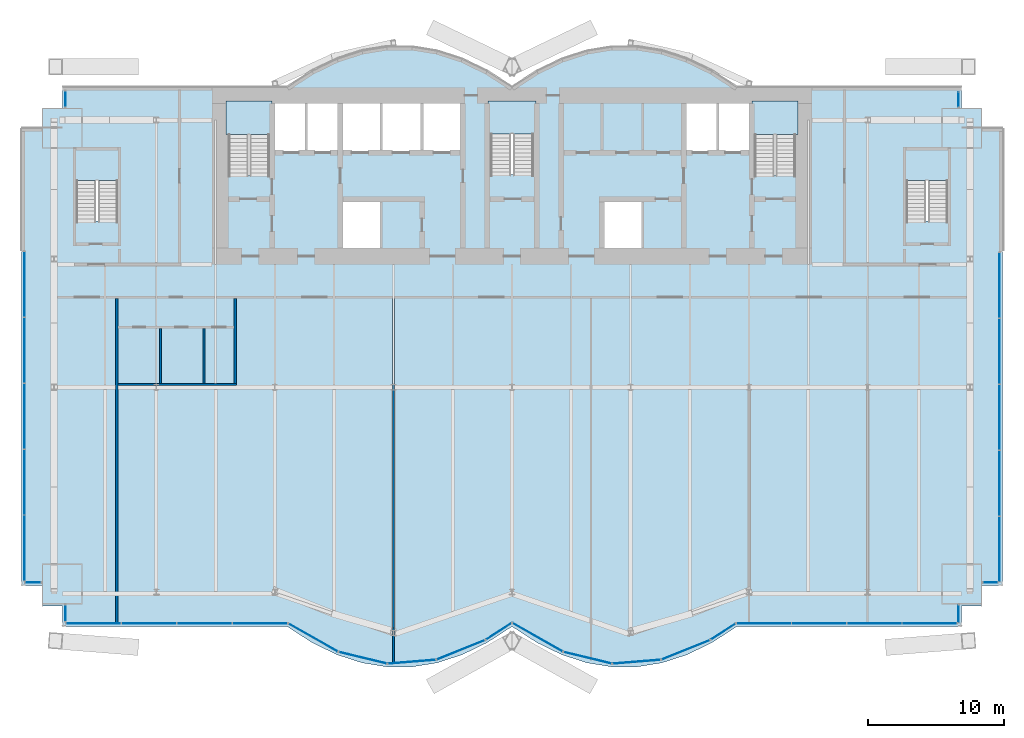
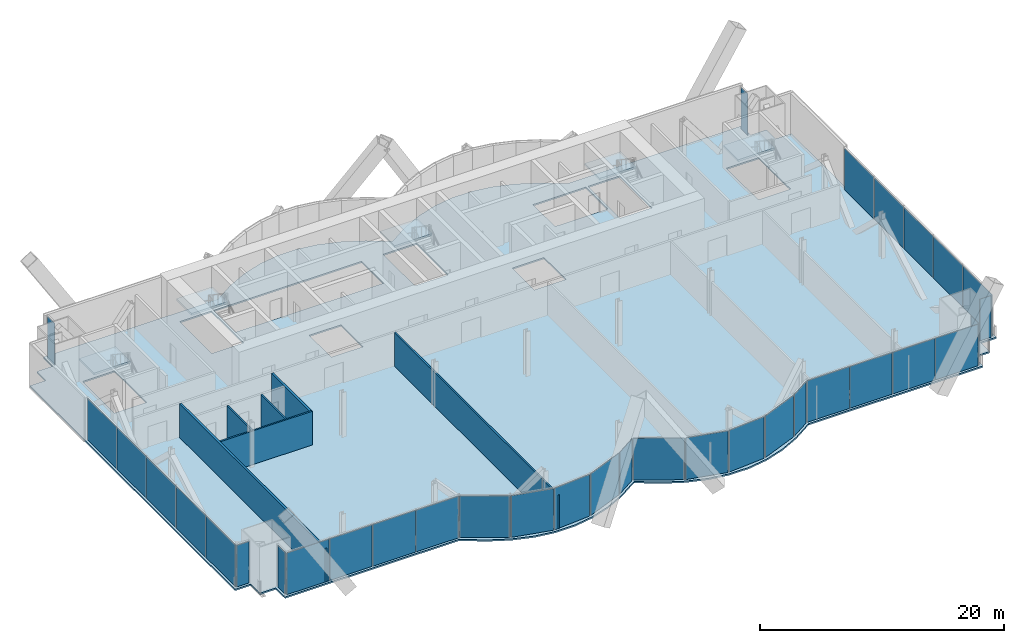
# One storey, part 14 of 21: 34 plates, 7 walls, 6 slabs, 17 elements without a shape of their own.
"""IFC4 building model written with IfcOpenShell, lengths in metres."""

from ifc_helpers import new_model, si_unit, direction, frame, frame_2d, origin, origin_2d, place, context, subcontext, project, spatial, polyline, rectangle, outline, extrude, material, layer, layer_set, type_object, element, aggregate, save


model = new_model("IFC4")

# Units and contexts
model_context = context("Model", 3, precision=1e-05, world=origin(), true_north=direction((0.0, 1.0)))
body_context = subcontext(model_context, "Body", "Model", "MODEL_VIEW")
ifc_project = project(units=[si_unit("LENGTHUNIT", "METRE"), si_unit("AREAUNIT", "SQUARE_METRE"), si_unit("VOLUMEUNIT", "CUBIC_METRE"), si_unit("PLANEANGLEUNIT", "RADIAN"), si_unit("MASSUNIT", "GRAM", prefix="KILO")], contexts=[model_context])

# Site, building, storey
site_placement = place(None, origin())
site = spatial("IfcSite", under=ifc_project, at=site_placement, CompositionType="ELEMENT")
building_placement = place(site_placement, origin())
building = spatial("IfcBuilding", under=site, at=building_placement, Name="Bicima Exchange Tower", CompositionType="ELEMENT")
storey_placement = place(building_placement, frame((0.0, 0.0, 80.0)))
storey = spatial("IfcBuildingStorey", under=building, at=storey_placement, Name="L16", CompositionType="ELEMENT", Elevation=80.0)

# Slab
ifc_material_1 = material(Name="Concrete C40/50", Category="concrete")
ifc_layer_1 = layer(ifc_material_1, 0.14990234375)
ifc_layer_set_1 = layer_set([ifc_layer_1], Name="Concrete C40/50")
slab_type_1 = type_object("IfcSlabType", Name="Composite floor slab 150", PredefinedType="FLOOR", material=ifc_layer_set_1)
slab_1_placement = place(storey_placement, frame((0.0, 0.0, -0.14990234375)))
element("IfcSlab", 1, at=slab_1_placement, inside=storey, type_object=slab_type_1, Name="Floor slab", PredefinedType="FLOOR", context=body_context, shape_type="SweptSolid", body=[
    extrude(outline(polyline([(-36.0, -36.56005859375), (-36.0, -3.0), (-34.5, -3.0), (-34.5, -1.5), (-33.0, -1.5), (-33.0, 0.0), (-16.5, 0.0), (-14.666748046875, 1.185302734375), (-12.833251953125, 2.07421875), (-11.0, 2.666748046875), (-9.166748046875, 2.962890625), (-7.333251953125, 2.962890625), (-5.5, 2.666748046875), (-3.666748046875, 2.07421875), (-1.833251953125, 1.185302734375), (0.0, 0.0), (1.833251953125, 1.185302734375), (3.666748046875, 2.07421875), (5.5, 2.666748046875), (7.333251953125, 2.962890625), (9.166748046875, 2.962890625), (11.0, 2.666748046875), (12.833251953125, 2.07421875), (14.666748046875, 1.185302734375), (16.5, 0.0), (33.0, 0.0), (33.0, -1.5), (34.5, -1.5), (34.5, -3.0), (36.0, -3.0), (36.0, -36.56005859375), (34.5, -36.56005859375), (34.5, -38.06005859375), (33.0, -38.06005859375), (33.0, -39.56005859375), (16.5, -39.56005859375), (14.666748046875, -40.7451171875), (12.833251953125, -41.634033203125), (11.0, -42.226806640625), (9.166748046875, -42.52294921875), (7.333251953125, -42.52294921875), (5.5, -42.226806640625), (3.666748046875, -41.634033203125), (1.833251953125, -40.7451171875), (0.0, -39.56005859375), (-1.833251953125, -40.7451171875), (-3.666748046875, -41.634033203125), (-5.5, -42.226806640625), (-7.333251953125, -42.52294921875), (-9.166748046875, -42.52294921875), (-11.0, -42.226806640625), (-12.833251953125, -41.634033203125), (-14.666748046875, -40.7451171875), (-16.5, -39.56005859375), (-33.0, -39.56005859375), (-33.0, -38.06005859375), (-34.5, -38.06005859375), (-34.5, -36.56005859375), (-36.0, -36.56005859375)]), holes=[polyline([(-9.60009765625, -11.800048828125), (-9.60009765625, -8.199951171875), (-12.60009765625, -8.199951171875), (-12.60009765625, -11.800048828125), (-9.60009765625, -11.800048828125)]), polyline([(-31.97509765625, -9.824951171875), (-28.925048828125, -9.824951171875), (-28.925048828125, -4.625), (-31.97509765625, -4.625), (-31.97509765625, -9.824951171875)]), polyline([(-20.800048828125, -6.449951171875), (-17.800048828125, -6.449951171875), (-17.800048828125, -1.199951171875), (-20.800048828125, -1.199951171875), (-20.800048828125, -6.449951171875)]), polyline([(-9.60009765625, -1.199951171875), (-12.60009765625, -1.199951171875), (-15.10009765625, -1.199951171875), (-17.60009765625, -1.199951171875), (-17.60009765625, -4.800048828125), (-15.10009765625, -4.800048828125), (-12.60009765625, -4.800048828125), (-9.60009765625, -4.800048828125), (-6.60009765625, -4.800048828125), (-3.60009765625, -4.800048828125), (-3.60009765625, -1.199951171875), (-6.60009765625, -1.199951171875), (-9.60009765625, -1.199951171875)]), polyline([(9.60009765625, -11.800048828125), (9.60009765625, -8.199951171875), (6.60009765625, -8.199951171875), (6.60009765625, -11.800048828125), (9.60009765625, -11.800048828125)]), polyline([(28.925048828125, -9.824951171875), (31.97509765625, -9.824951171875), (31.97509765625, -4.625), (28.925048828125, -4.625), (28.925048828125, -9.824951171875)]), polyline([(17.800048828125, -6.449951171875), (20.800048828125, -6.449951171875), (20.800048828125, -1.199951171875), (17.800048828125, -1.199951171875), (17.800048828125, -6.449951171875)]), polyline([(-1.574951171875, -6.39990234375), (1.574951171875, -6.39990234375), (1.574951171875, -1.199951171875), (-1.574951171875, -1.199951171875), (-1.574951171875, -6.39990234375)]), polyline([(17.60009765625, -4.800048828125), (17.60009765625, -1.199951171875), (15.10009765625, -1.199951171875), (12.60009765625, -1.199951171875), (12.60009765625, -4.800048828125), (15.10009765625, -4.800048828125), (17.60009765625, -4.800048828125)])]), origin(), (0.0, 0.0, 1.0), 0.14990234375),
])

# Curtain wall, plates
ifc_material_2 = material(Name="Anodised bronze aluminium", Category="aluminium")
curtain_wall_type_1 = type_object("IfcCurtainWallType", Name="End face glass wall", PredefinedType="NOTDEFINED", material=ifc_material_2)
curtain_wall_1_placement = place(storey_placement, origin())
curtain_wall_1 = element("IfcCurtainWall", 2, at=curtain_wall_1_placement, inside=storey, type_object=curtain_wall_type_1, Name="End face glass wall L16 run 2", PredefinedType="NOTDEFINED")
ifc_material_3 = material(Name="Bronze tinted glass", Category="glass")
ifc_layer_2 = layer(ifc_material_3, 0.031982421875)
ifc_layer_set_2 = layer_set([ifc_layer_2], Name="Bronze tinted glass")
plate_type_1 = type_object("IfcPlateType", Name="End face glass wall glass panel 32", PredefinedType="CURTAIN_PANEL", material=ifc_layer_set_2)
plate_1_placement = place(storey_placement, frame((-35.77001953125, -14.448974609375, 0.0), z_axis=(0.0, 0.0, 1.0), x_axis=(0.0, -1.0, 0.0)))
plate_1 = element("IfcPlate", 3, at=plate_1_placement, type_object=plate_type_1, Name="End face glass wall panel 1.1", PredefinedType="CURTAIN_PANEL", context=body_context, shape_type="SweptSolid", body=[
    extrude(rectangle(XDim=4.778076171875, YDim=0.031982421875, at=origin_2d()), origin(), (0.0, 0.0, 1.0), 4.159912109375),
])
plate_2_placement = place(storey_placement, frame((-35.77001953125, -19.287109375, 0.0), z_axis=(0.0, 0.0, 1.0), x_axis=(0.0, -1.0, 0.0)))
plate_2 = element("IfcPlate", 4, at=plate_2_placement, type_object=plate_type_1, Name="End face glass wall panel 2.1", PredefinedType="CURTAIN_PANEL", context=body_context, shape_type="SweptSolid", body=[
    extrude(rectangle(XDim=4.778076171875, YDim=0.031982421875, at=origin_2d()), origin(), (0.0, 0.0, 1.0), 4.159912109375),
])
plate_3_placement = place(storey_placement, frame((-35.77001953125, -24.125, 0.0), z_axis=(0.0, 0.0, 1.0), x_axis=(0.0, -1.0, 0.0)))
plate_3 = element("IfcPlate", 5, at=plate_3_placement, type_object=plate_type_1, Name="End face glass wall panel 3.1", PredefinedType="CURTAIN_PANEL", context=body_context, shape_type="SweptSolid", body=[
    extrude(rectangle(XDim=4.778076171875, YDim=0.031982421875, at=origin_2d()), origin(), (0.0, 0.0, 1.0), 4.159912109375),
])

curtain_wall_2_placement = place(storey_placement, origin())
curtain_wall_2 = element("IfcCurtainWall", 6, at=curtain_wall_2_placement, inside=storey, type_object=curtain_wall_type_1, Name="End face glass wall L16 run 19", PredefinedType="NOTDEFINED")
plate_4_placement = place(storey_placement, frame((35.77001953125, -24.205078125, 0.0), z_axis=(0.0, 0.0, 1.0), x_axis=(0.0, 1.0, 0.0)))
plate_4 = element("IfcPlate", 7, at=plate_4_placement, type_object=plate_type_1, Name="End face glass wall panel 3.1", PredefinedType="CURTAIN_PANEL", context=body_context, shape_type="SweptSolid", body=[
    extrude(rectangle(XDim=4.778076171875, YDim=0.031982421875, at=origin_2d()), origin(), (0.0, 0.0, 1.0), 4.159912109375),
])
plate_5_placement = place(storey_placement, frame((35.77001953125, -19.366943359375, 0.0), z_axis=(0.0, 0.0, 1.0), x_axis=(0.0, 1.0, 0.0)))
plate_5 = element("IfcPlate", 8, at=plate_5_placement, type_object=plate_type_1, Name="End face glass wall panel 4.1", PredefinedType="CURTAIN_PANEL", context=body_context, shape_type="SweptSolid", body=[
    extrude(rectangle(XDim=4.778076171875, YDim=0.031982421875, at=origin_2d()), origin(), (0.0, 0.0, 1.0), 4.159912109375),
])
plate_6_placement = place(storey_placement, frame((35.77001953125, -14.529052734375, 0.0), z_axis=(0.0, 0.0, 1.0), x_axis=(0.0, 1.0, 0.0)))
plate_6 = element("IfcPlate", 9, at=plate_6_placement, type_object=plate_type_1, Name="End face glass wall panel 5.1", PredefinedType="CURTAIN_PANEL", context=body_context, shape_type="SweptSolid", body=[
    extrude(rectangle(XDim=4.778076171875, YDim=0.031982421875, at=origin_2d()), origin(), (0.0, 0.0, 1.0), 4.159912109375),
])

# Plate
ifc_material_4 = material(Name="Bronze anodised aluminium", Category="aluminium")
ifc_layer_3 = layer(ifc_material_4, 0.031982421875)
ifc_layer_set_3 = layer_set([ifc_layer_3], Name="Bronze anodised aluminium")
plate_type_2 = type_object("IfcPlateType", Name="End face glass wall spandrel panel 32", PredefinedType="CURTAIN_PANEL", material=ifc_layer_set_3)
plate_7_placement = place(storey_placement, frame((-35.77001953125, -28.962890625, 0.0), z_axis=(0.0, 0.0, 1.0), x_axis=(0.0, -1.0, 0.0)))
plate_7 = element("IfcPlate", 10, at=plate_7_placement, type_object=plate_type_2, Name="End face spandrel wall panel 4.1", PredefinedType="CURTAIN_PANEL", context=body_context, shape_type="SweptSolid", body=[
    extrude(rectangle(XDim=4.778076171875, YDim=0.031982421875, at=origin_2d()), origin(), (0.0, 0.0, 1.0), 4.159912109375),
])

plate_8_placement = place(storey_placement, frame((-35.77001953125, -33.801025390625, 0.0), z_axis=(0.0, 0.0, 1.0), x_axis=(0.0, -1.0, 0.0)))
plate_8 = element("IfcPlate", 11, at=plate_8_placement, type_object=plate_type_2, Name="End face spandrel wall panel 5.1", PredefinedType="CURTAIN_PANEL", context=body_context, shape_type="SweptSolid", body=[
    extrude(rectangle(XDim=4.778076171875, YDim=0.031982421875, at=origin_2d()), origin(), (0.0, 0.0, 1.0), 4.159912109375),
])

aggregate(curtain_wall_1, [plate_1, plate_2, plate_3, plate_7, plate_8])

plate_9_placement = place(storey_placement, frame((35.77001953125, -33.881103515625, 0.0), z_axis=(0.0, 0.0, 1.0), x_axis=(0.0, 1.0, 0.0)))
plate_9 = element("IfcPlate", 12, at=plate_9_placement, type_object=plate_type_2, Name="End face spandrel wall panel 1.1", PredefinedType="CURTAIN_PANEL", context=body_context, shape_type="SweptSolid", body=[
    extrude(rectangle(XDim=4.778076171875, YDim=0.031982421875, at=origin_2d()), origin(), (0.0, 0.0, 1.0), 4.159912109375),
])

plate_10_placement = place(storey_placement, frame((35.77001953125, -29.04296875, 0.0), z_axis=(0.0, 0.0, 1.0), x_axis=(0.0, 1.0, 0.0)))
plate_10 = element("IfcPlate", 13, at=plate_10_placement, type_object=plate_type_2, Name="End face spandrel wall panel 2.1", PredefinedType="CURTAIN_PANEL", context=body_context, shape_type="SweptSolid", body=[
    extrude(rectangle(XDim=4.778076171875, YDim=0.031982421875, at=origin_2d()), origin(), (0.0, 0.0, 1.0), 4.159912109375),
])

aggregate(curtain_wall_2, [plate_9, plate_10, plate_4, plate_5, plate_6])

# Curtain wall, plate
curtain_wall_type_2 = type_object("IfcCurtainWallType", Name="Front glass wall", PredefinedType="NOTDEFINED", material=ifc_material_2)
curtain_wall_3_placement = place(storey_placement, origin())
curtain_wall_3 = element("IfcCurtainWall", 14, at=curtain_wall_3_placement, inside=storey, type_object=curtain_wall_type_2, Name="Front glass wall L16 run 1", PredefinedType="NOTDEFINED")
ifc_layer_4 = layer(ifc_material_3, 0.031982421875)
ifc_layer_set_4 = layer_set([ifc_layer_4], Name="Bronze tinted glass")
plate_type_3 = type_object("IfcPlateType", Name="Front glass wall glass panel 32", PredefinedType="CURTAIN_PANEL", material=ifc_layer_set_4)
plate_11_placement = place(storey_placement, frame((-32.77001953125, -0.864990234375, 0.0), z_axis=(0.0, 0.0, 1.0), x_axis=(0.0, -1.0, 0.0)))
plate_11 = element("IfcPlate", 15, at=plate_11_placement, type_object=plate_type_3, Name="Front glass wall panel 1.1", PredefinedType="CURTAIN_PANEL", context=body_context, shape_type="SweptSolid", body=[
    extrude(rectangle(XDim=1.14990234375, YDim=0.031982421875, at=origin_2d()), origin(), (0.0, 0.0, 1.0), 4.159912109375),
])
aggregate(curtain_wall_3, [plate_11])

curtain_wall_4_placement = place(storey_placement, origin())
curtain_wall_4 = element("IfcCurtainWall", 16, at=curtain_wall_4_placement, inside=storey, type_object=curtain_wall_type_2, Name="Front glass wall L16 run 3", PredefinedType="NOTDEFINED")
plate_12_placement = place(storey_placement, frame((-35.135009765625, -36.330078125, 0.0), z_axis=(0.0, 0.0, 1.0), x_axis=(1.0, 0.0, 0.0)))
plate_12 = element("IfcPlate", 17, at=plate_12_placement, type_object=plate_type_3, Name="Front glass wall panel 1.1", PredefinedType="CURTAIN_PANEL", context=body_context, shape_type="SweptSolid", body=[
    extrude(rectangle(XDim=1.14990234375, YDim=0.031982421875, at=origin_2d()), origin(), (0.0, 0.0, 1.0), 4.159912109375),
])
aggregate(curtain_wall_4, [plate_12])

curtain_wall_5_placement = place(storey_placement, origin())
curtain_wall_5 = element("IfcCurtainWall", 18, at=curtain_wall_5_placement, inside=storey, type_object=curtain_wall_type_2, Name="Front glass wall L16 run 4", PredefinedType="NOTDEFINED")
plate_13_placement = place(storey_placement, frame((-32.77001953125, -38.593994140625, 0.0), z_axis=(0.0, 0.0, 1.0), x_axis=(0.0, -1.0, 0.0)))
plate_13 = element("IfcPlate", 19, at=plate_13_placement, type_object=plate_type_3, Name="Front glass wall panel 1.1", PredefinedType="CURTAIN_PANEL", context=body_context, shape_type="SweptSolid", body=[
    extrude(rectangle(XDim=1.19189453125, YDim=0.031982421875, at=origin_2d()), origin(), (0.0, 0.0, 1.0), 4.159912109375),
])
aggregate(curtain_wall_5, [plate_13])

# Curtain wall, plates
curtain_wall_6_placement = place(storey_placement, origin())
curtain_wall_6 = element("IfcCurtainWall", 20, at=curtain_wall_6_placement, inside=storey, type_object=curtain_wall_type_2, Name="Front glass wall L16 run 5", PredefinedType="NOTDEFINED")
plate_14_placement = place(storey_placement, frame((-22.56640625, -39.330078125, 0.0), z_axis=(0.0, 0.0, 1.0), x_axis=(1.0, 0.0, 0.0)))
plate_14 = element("IfcPlate", 21, at=plate_14_placement, type_object=plate_type_3, Name="Front glass wall panel 3.1", PredefinedType="CURTAIN_PANEL", context=body_context, shape_type="SweptSolid", body=[
    extrude(rectangle(XDim=4.009521484375, YDim=0.031982421875, at=origin_2d()), origin(), (0.0, 0.0, 1.0), 4.159912109375),
])
plate_15_placement = place(storey_placement, frame((-18.496826171875, -39.330078125, 0.0), z_axis=(0.0, 0.0, 1.0), x_axis=(1.0, 0.0, 0.0)))
plate_15 = element("IfcPlate", 22, at=plate_15_placement, type_object=plate_type_3, Name="Front glass wall panel 4.1", PredefinedType="CURTAIN_PANEL", context=body_context, shape_type="SweptSolid", body=[
    extrude(rectangle(XDim=4.009521484375, YDim=0.031982421875, at=origin_2d()), origin(), (0.0, 0.0, 1.0), 4.159912109375),
])

curtain_wall_7_placement = place(storey_placement, origin())
curtain_wall_7 = element("IfcCurtainWall", 23, at=curtain_wall_7_placement, inside=storey, type_object=curtain_wall_type_2, Name="Front glass wall L16 run 6", PredefinedType="NOTDEFINED")
plate_16_placement = place(storey_placement, frame((-14.589599609375, -40.375, 0.0), z_axis=(0.0, 0.0, 1.0), x_axis=(0.869805110681, -0.493395449343, 0.0)))
plate_16 = element("IfcPlate", 24, at=plate_16_placement, type_object=plate_type_3, Name="Front glass wall panel 1.1", PredefinedType="CURTAIN_PANEL", context=body_context, shape_type="SweptSolid", body=[
    extrude(rectangle(XDim=4.1162109375, YDim=0.031982421875, at=origin_2d()), origin(), (0.0, 0.0, 1.0), 4.159912109375),
])
plate_17_placement = place(storey_placement, frame((-10.94775390625, -41.856689453125, 0.0), z_axis=(0.0, 0.0, 1.0), x_axis=(0.971830343553, -0.235681529503, 0.0)))
plate_17 = element("IfcPlate", 25, at=plate_17_placement, type_object=plate_type_3, Name="Front glass wall panel 1.1", PredefinedType="CURTAIN_PANEL", context=body_context, shape_type="SweptSolid", body=[
    extrude(rectangle(XDim=3.583251953125, YDim=0.031982421875, at=origin_2d()), origin(), (0.0, 0.0, 1.0), 4.159912109375),
])
plate_18_placement = place(storey_placement, frame((-0.97314453125, -39.915283203125, 0.0), z_axis=(0.0, 0.0, 1.0), x_axis=(0.839798994301, 0.542897457326, 0.0)))
plate_18 = element("IfcPlate", 26, at=plate_18_placement, type_object=plate_type_3, Name="Front glass wall panel 1.1", PredefinedType="CURTAIN_PANEL", context=body_context, shape_type="SweptSolid", body=[
    extrude(rectangle(XDim=2.197509765625, YDim=0.031982421875, at=origin_2d()), origin(), (0.0, 0.0, 1.0), 4.159912109375),
])

curtain_wall_8_placement = place(storey_placement, origin())
curtain_wall_8 = element("IfcCurtainWall", 27, at=curtain_wall_8_placement, inside=storey, type_object=curtain_wall_type_2, Name="Front glass wall L16 run 11", PredefinedType="NOTDEFINED")
plate_19_placement = place(storey_placement, frame((9.14892578125, -42.147705078125, 0.0), z_axis=(0.0, 0.0, 1.0), x_axis=(0.99674744821, 0.080588612633, 0.0)))
plate_19 = element("IfcPlate", 28, at=plate_19_placement, type_object=plate_type_3, Name="Front glass wall panel 1.1", PredefinedType="CURTAIN_PANEL", context=body_context, shape_type="SweptSolid", body=[
    extrude(rectangle(XDim=3.486083984375, YDim=0.031982421875, at=origin_2d()), origin(), (0.0, 0.0, 1.0), 4.159912109375),
])
plate_20_placement = place(storey_placement, frame((12.749755859375, -41.2734375, 0.0), z_axis=(0.0, 0.0, 1.0), x_axis=(0.92714396679, 0.374705304, 0.0)))
plate_20 = element("IfcPlate", 29, at=plate_20_placement, type_object=plate_type_3, Name="Front glass wall panel 1.1", PredefinedType="CURTAIN_PANEL", context=body_context, shape_type="SweptSolid", body=[
    extrude(rectangle(XDim=3.771240234375, YDim=0.031982421875, at=origin_2d()), origin(), (0.0, 0.0, 1.0), 4.159912109375),
])
plate_21_placement = place(storey_placement, frame((15.492919921875, -39.937255859375, 0.0), z_axis=(0.0, 0.0, 1.0), x_axis=(0.839791413941, 0.542909183079, 0.0)))
plate_21 = element("IfcPlate", 30, at=plate_21_placement, type_object=plate_type_3, Name="Front glass wall panel 1.1", PredefinedType="CURTAIN_PANEL", context=body_context, shape_type="SweptSolid", body=[
    extrude(rectangle(XDim=2.11669921875, YDim=0.031982421875, at=origin_2d()), origin(), (0.0, 0.0, 1.0), 4.159912109375),
])

curtain_wall_9_placement = place(storey_placement, origin())
curtain_wall_9 = element("IfcCurtainWall", 31, at=curtain_wall_9_placement, inside=storey, type_object=curtain_wall_type_2, Name="Front glass wall L16 run 16", PredefinedType="NOTDEFINED")
plate_22_placement = place(storey_placement, frame((18.48681640625, -39.330078125, 0.0), z_axis=(0.0, 0.0, 1.0), x_axis=(1.0, 0.0, 0.0)))
plate_22 = element("IfcPlate", 32, at=plate_22_placement, type_object=plate_type_3, Name="Front glass wall panel 1.1", PredefinedType="CURTAIN_PANEL", context=body_context, shape_type="SweptSolid", body=[
    extrude(rectangle(XDim=3.989501953125, YDim=0.031982421875, at=origin_2d()), origin(), (0.0, 0.0, 1.0), 4.159912109375),
])
plate_23_placement = place(storey_placement, frame((22.536376953125, -39.330078125, 0.0), z_axis=(0.0, 0.0, 1.0), x_axis=(1.0, 0.0, 0.0)))
plate_23 = element("IfcPlate", 33, at=plate_23_placement, type_object=plate_type_3, Name="Front glass wall panel 2.1", PredefinedType="CURTAIN_PANEL", context=body_context, shape_type="SweptSolid", body=[
    extrude(rectangle(XDim=3.989501953125, YDim=0.031982421875, at=origin_2d()), origin(), (0.0, 0.0, 1.0), 4.159912109375),
])

# Curtain wall, plate
curtain_wall_10_placement = place(storey_placement, origin())
curtain_wall_10 = element("IfcCurtainWall", 34, at=curtain_wall_10_placement, inside=storey, type_object=curtain_wall_type_2, Name="Front glass wall L16 run 17", PredefinedType="NOTDEFINED")
plate_24_placement = place(storey_placement, frame((32.77001953125, -38.634033203125, 0.0), z_axis=(0.0, 0.0, 1.0), x_axis=(0.0, 1.0, 0.0)))
plate_24 = element("IfcPlate", 35, at=plate_24_placement, type_object=plate_type_3, Name="Front glass wall panel 1.1", PredefinedType="CURTAIN_PANEL", context=body_context, shape_type="SweptSolid", body=[
    extrude(rectangle(XDim=1.27197265625, YDim=0.031982421875, at=origin_2d()), origin(), (0.0, 0.0, 1.0), 4.159912109375),
])
aggregate(curtain_wall_10, [plate_24])

curtain_wall_11_placement = place(storey_placement, origin())
curtain_wall_11 = element("IfcCurtainWall", 36, at=curtain_wall_11_placement, inside=storey, type_object=curtain_wall_type_2, Name="Front glass wall L16 run 18", PredefinedType="NOTDEFINED")
plate_25_placement = place(storey_placement, frame((35.094970703125, -36.330078125, 0.0), z_axis=(0.0, 0.0, 1.0), x_axis=(1.0, 0.0, 0.0)))
plate_25 = element("IfcPlate", 37, at=plate_25_placement, type_object=plate_type_3, Name="Front glass wall panel 1.1", PredefinedType="CURTAIN_PANEL", context=body_context, shape_type="SweptSolid", body=[
    extrude(rectangle(XDim=1.070068359375, YDim=0.031982421875, at=origin_2d()), origin(), (0.0, 0.0, 1.0), 4.159912109375),
])
aggregate(curtain_wall_11, [plate_25])

curtain_wall_12_placement = place(storey_placement, origin())
curtain_wall_12 = element("IfcCurtainWall", 38, at=curtain_wall_12_placement, inside=storey, type_object=curtain_wall_type_2, Name="Front glass wall L16 run 20", PredefinedType="NOTDEFINED")
plate_26_placement = place(storey_placement, frame((32.77001953125, -0.905029296875, 0.0), z_axis=(0.0, 0.0, 1.0), x_axis=(0.0, 1.0, 0.0)))
plate_26 = element("IfcPlate", 39, at=plate_26_placement, type_object=plate_type_3, Name="Front glass wall panel 1.1", PredefinedType="CURTAIN_PANEL", context=body_context, shape_type="SweptSolid", body=[
    extrude(rectangle(XDim=1.070068359375, YDim=0.031982421875, at=origin_2d()), origin(), (0.0, 0.0, 1.0), 4.159912109375),
])
aggregate(curtain_wall_12, [plate_26])

# Plate
ifc_layer_5 = layer(ifc_material_4, 0.031982421875)
ifc_layer_set_5 = layer_set([ifc_layer_5], Name="Bronze anodised aluminium")
plate_type_4 = type_object("IfcPlateType", Name="Front glass wall spandrel panel 32", PredefinedType="CURTAIN_PANEL", material=ifc_layer_set_5)
plate_27_placement = place(storey_placement, frame((-30.705322265625, -39.330078125, 0.0), z_axis=(0.0, 0.0, 1.0), x_axis=(1.0, 0.0, 0.0)))
plate_27 = element("IfcPlate", 40, at=plate_27_placement, type_object=plate_type_4, Name="Front spandrel wall panel 1.1", PredefinedType="CURTAIN_PANEL", context=body_context, shape_type="SweptSolid", body=[
    extrude(rectangle(XDim=4.009521484375, YDim=0.031982421875, at=origin_2d()), origin(), (0.0, 0.0, 1.0), 4.159912109375),
])

plate_28_placement = place(storey_placement, frame((-26.6357421875, -39.330078125, 0.0), z_axis=(0.0, 0.0, 1.0), x_axis=(1.0, 0.0, 0.0)))
plate_28 = element("IfcPlate", 41, at=plate_28_placement, type_object=plate_type_4, Name="Front spandrel wall panel 2.1", PredefinedType="CURTAIN_PANEL", context=body_context, shape_type="SweptSolid", body=[
    extrude(rectangle(XDim=4.009521484375, YDim=0.031982421875, at=origin_2d()), origin(), (0.0, 0.0, 1.0), 4.159912109375),
])

aggregate(curtain_wall_6, [plate_27, plate_28, plate_14, plate_15])

plate_29_placement = place(storey_placement, frame((-7.35107421875, -42.147705078125, 0.0), z_axis=(0.0, 0.0, 1.0), x_axis=(0.99674744821, 0.080588612633, 0.0)))
plate_29 = element("IfcPlate", 42, at=plate_29_placement, type_object=plate_type_4, Name="Front spandrel wall panel 1.1", PredefinedType="CURTAIN_PANEL", context=body_context, shape_type="SweptSolid", body=[
    extrude(rectangle(XDim=3.486083984375, YDim=0.031982421875, at=origin_2d()), origin(), (0.0, 0.0, 1.0), 4.159912109375),
])

plate_30_placement = place(storey_placement, frame((-3.750244140625, -41.2734375, 0.0), z_axis=(0.0, 0.0, 1.0), x_axis=(0.92714396679, 0.374705304, 0.0)))
plate_30 = element("IfcPlate", 43, at=plate_30_placement, type_object=plate_type_4, Name="Front spandrel wall panel 1.1", PredefinedType="CURTAIN_PANEL", context=body_context, shape_type="SweptSolid", body=[
    extrude(rectangle(XDim=3.771240234375, YDim=0.031982421875, at=origin_2d()), origin(), (0.0, 0.0, 1.0), 4.159912109375),
])

aggregate(curtain_wall_7, [plate_16, plate_17, plate_29, plate_30, plate_18])

plate_31_placement = place(storey_placement, frame((1.876220703125, -40.353271484375, 0.0), z_axis=(0.0, 0.0, 1.0), x_axis=(0.869274147378, -0.494330311331, 0.0)))
plate_31 = element("IfcPlate", 44, at=plate_31_placement, type_object=plate_type_4, Name="Front spandrel wall panel 1.1", PredefinedType="CURTAIN_PANEL", context=body_context, shape_type="SweptSolid", body=[
    extrude(rectangle(XDim=4.197021484375, YDim=0.031982421875, at=origin_2d()), origin(), (0.0, 0.0, 1.0), 4.159912109375),
])

plate_32_placement = place(storey_placement, frame((5.55224609375, -41.856689453125, 0.0), z_axis=(0.0, 0.0, 1.0), x_axis=(0.971830343553, -0.235681529503, 0.0)))
plate_32 = element("IfcPlate", 45, at=plate_32_placement, type_object=plate_type_4, Name="Front spandrel wall panel 1.1", PredefinedType="CURTAIN_PANEL", context=body_context, shape_type="SweptSolid", body=[
    extrude(rectangle(XDim=3.583251953125, YDim=0.031982421875, at=origin_2d()), origin(), (0.0, 0.0, 1.0), 4.159912109375),
])

aggregate(curtain_wall_8, [plate_31, plate_32, plate_19, plate_20, plate_21])

plate_33_placement = place(storey_placement, frame((26.585693359375, -39.330078125, 0.0), z_axis=(0.0, 0.0, 1.0), x_axis=(1.0, 0.0, 0.0)))
plate_33 = element("IfcPlate", 46, at=plate_33_placement, type_object=plate_type_4, Name="Front spandrel wall panel 3.1", PredefinedType="CURTAIN_PANEL", context=body_context, shape_type="SweptSolid", body=[
    extrude(rectangle(XDim=3.989501953125, YDim=0.031982421875, at=origin_2d()), origin(), (0.0, 0.0, 1.0), 4.159912109375),
])

plate_34_placement = place(storey_placement, frame((30.63525390625, -39.330078125, 0.0), z_axis=(0.0, 0.0, 1.0), x_axis=(1.0, 0.0, 0.0)))
plate_34 = element("IfcPlate", 47, at=plate_34_placement, type_object=plate_type_4, Name="Front spandrel wall panel 4.1", PredefinedType="CURTAIN_PANEL", context=body_context, shape_type="SweptSolid", body=[
    extrude(rectangle(XDim=3.989501953125, YDim=0.031982421875, at=origin_2d()), origin(), (0.0, 0.0, 1.0), 4.159912109375),
])

aggregate(curtain_wall_9, [plate_22, plate_23, plate_33, plate_34])

# Stair, slab
ifc_material_5 = material(Name="Concrete C50/60", Category="concrete")
stair_type_1 = type_object("IfcStairType", Name="Exit stair", PredefinedType="HALF_TURN_STAIR", material=ifc_material_5)
stair_1_placement = place(storey_placement, origin())
stair_1 = element("IfcStair", 48, at=stair_1_placement, inside=storey, type_object=stair_type_1, Name="L16 West exit stair", PredefinedType="HALF_TURN_STAIR")
ifc_layer_6 = layer(ifc_material_5, 0.199951171875)
ifc_layer_set_6 = layer_set([ifc_layer_6], Name="Concrete C50/60")
slab_type_2 = type_object("IfcSlabType", Name="Stair landing slab", PredefinedType="LANDING", material=ifc_layer_set_6)
slab_2_placement = place(storey_placement, frame((0.0, 0.0, 2.050048828125)))
slab_2 = element("IfcSlab", 49, at=slab_2_placement, type_object=slab_type_2, Name="ST-W landing 1", PredefinedType="LANDING", context=body_context, shape_type="SweptSolid", body=[
    extrude(outline(polyline([(-17.60009765625, -3.469970703125), (-17.60009765625, -1.0), (-21.0, -1.0), (-21.0, -3.469970703125), (-17.60009765625, -3.469970703125)])), origin(), (0.0, 0.0, 1.0), 0.199951171875),
])
aggregate(stair_1, [slab_2])

stair_type_2 = type_object("IfcStairType", Name="Exit stair 1500", PredefinedType="HALF_TURN_STAIR", material=ifc_material_5)
stair_2_placement = place(storey_placement, origin())
stair_2 = element("IfcStair", 50, at=stair_2_placement, inside=storey, type_object=stair_type_2, Name="L16 Central exit stair", PredefinedType="HALF_TURN_STAIR")
slab_3_placement = place(storey_placement, frame((0.0, 0.0, 2.050048828125)))
slab_3 = element("IfcSlab", 51, at=slab_3_placement, type_object=slab_type_2, Name="ST-C landing 1", PredefinedType="LANDING", context=body_context, shape_type="SweptSolid", body=[
    extrude(outline(polyline([(1.77490234375, -3.419921875), (1.77490234375, -1.0), (-1.77490234375, -1.0), (-1.77490234375, -3.419921875), (1.77490234375, -3.419921875)])), origin(), (0.0, 0.0, 1.0), 0.199951171875),
])
aggregate(stair_2, [slab_3])

stair_3_placement = place(storey_placement, origin())
stair_3 = element("IfcStair", 52, at=stair_3_placement, inside=storey, type_object=stair_type_1, Name="L16 East exit stair", PredefinedType="HALF_TURN_STAIR")
slab_4_placement = place(storey_placement, frame((0.0, 0.0, 2.050048828125)))
slab_4 = element("IfcSlab", 53, at=slab_4_placement, type_object=slab_type_2, Name="ST-E landing 1", PredefinedType="LANDING", context=body_context, shape_type="SweptSolid", body=[
    extrude(outline(polyline([(21.0, -3.469970703125), (21.0, -1.0), (17.60009765625, -1.0), (17.60009765625, -3.469970703125), (21.0, -3.469970703125)])), origin(), (0.0, 0.0, 1.0), 0.199951171875),
])
aggregate(stair_3, [slab_4])

stair_4_placement = place(storey_placement, origin())
stair_4 = element("IfcStair", 54, at=stair_4_placement, inside=storey, type_object=stair_type_1, Name="L16 West end exit stair", PredefinedType="HALF_TURN_STAIR")
slab_5_placement = place(storey_placement, frame((0.0, 0.0, 2.050048828125)))
slab_5 = element("IfcSlab", 55, at=slab_5_placement, type_object=slab_type_2, Name="ST-WW landing 1", PredefinedType="LANDING", context=body_context, shape_type="SweptSolid", body=[
    extrude(outline(polyline([(-28.72509765625, -6.844970703125), (-28.72509765625, -4.425048828125), (-32.175048828125, -4.425048828125), (-32.175048828125, -6.844970703125), (-28.72509765625, -6.844970703125)])), origin(), (0.0, 0.0, 1.0), 0.199951171875),
])
aggregate(stair_4, [slab_5])

stair_5_placement = place(storey_placement, origin())
stair_5 = element("IfcStair", 56, at=stair_5_placement, inside=storey, type_object=stair_type_1, Name="L16 East end exit stair", PredefinedType="HALF_TURN_STAIR")
slab_6_placement = place(storey_placement, frame((0.0, 0.0, 2.050048828125)))
slab_6 = element("IfcSlab", 57, at=slab_6_placement, type_object=slab_type_2, Name="ST-EE landing 1", PredefinedType="LANDING", context=body_context, shape_type="SweptSolid", body=[
    extrude(outline(polyline([(32.175048828125, -6.844970703125), (32.175048828125, -4.425048828125), (28.72509765625, -4.425048828125), (28.72509765625, -6.844970703125), (32.175048828125, -6.844970703125)])), origin(), (0.0, 0.0, 1.0), 0.199951171875),
])
aggregate(stair_5, [slab_6])

# Walls
ifc_material_6 = material(Name="Gypsum board partition")
ifc_layer_7 = layer(ifc_material_6, 0.199951171875)
ifc_layer_set_7 = layer_set([ifc_layer_7], Name="Gypsum board partition")
wall_type_1 = type_object("IfcWallType", Name="Fire-rated gypsum partition 200 EI60", PredefinedType="PARTITIONING", material=ifc_layer_set_7)
wall_1_placement = place(storey_placement, frame((-29.0, -39.35009765625, 0.0), z_axis=(0.0, 0.0, 1.0), x_axis=(0.0, 1.0, 0.0)))
element("IfcWall", 58, at=wall_1_placement, inside=storey, type_object=wall_type_1, Name="partition wall 13", PredefinedType="PARTITIONING", context=body_context, shape_type="SweptSolid", body=[
    extrude(rectangle(XDim=23.85009765625, YDim=0.199951171875, at=frame_2d((11.925048828125, 0.0))), origin(), (0.0, 0.0, 1.0), 3.3681640625),
])
wall_2_placement = place(storey_placement, frame((-20.300048828125, -21.72509765625, 0.0), z_axis=(0.0, 0.0, 1.0), x_axis=(0.0, 1.0, 0.0)))
element("IfcWall", 59, at=wall_2_placement, inside=storey, type_object=wall_type_1, Name="partition wall 18", PredefinedType="PARTITIONING", context=body_context, shape_type="SweptSolid", body=[
    extrude(rectangle(XDim=6.22509765625, YDim=0.199951171875, at=frame_2d((3.112548828125, 0.0))), origin(), (0.0, 0.0, 1.0), 3.3681640625),
])
ifc_layer_8 = layer(ifc_material_6, 0.14990234375)
ifc_layer_set_8 = layer_set([ifc_layer_8], Name="Gypsum board partition")
wall_type_2 = type_object("IfcWallType", Name="Gypsum partition 150", PredefinedType="PARTITIONING", material=ifc_layer_set_8)
wall_3_placement = place(storey_placement, frame((-28.89990234375, -21.800048828125, 0.0), z_axis=(0.0, 0.0, 1.0), x_axis=(1.0, 0.0, 0.0)))
element("IfcWall", 60, at=wall_3_placement, inside=storey, type_object=wall_type_2, Name="partition wall 1", PredefinedType="PARTITIONING", context=body_context, shape_type="SweptSolid", body=[
    extrude(rectangle(XDim=8.699951171875, YDim=0.14990234375, at=frame_2d((4.35009765625, 0.0))), origin(), (0.0, 0.0, 1.0), 3.3681640625),
])
for number, where, z_axis, x_axis, name in (
    (61, (-25.800048828125, -21.72509765625, 0.0), (0.0, 0.0, 1.0), (0.0, 1.0, 0.0), "partition wall 15"),
    (62, (-22.60009765625, -21.72509765625, 0.0), (0.0, 0.0, 1.0), (0.0, 1.0, 0.0), "partition wall 17"),
):
    element("IfcWall", number, at=place(storey_placement, frame(where, z_axis=z_axis, x_axis=x_axis)), inside=storey, type_object=wall_type_2, Name=name, PredefinedType="PARTITIONING", context=body_context, shape_type="SweptSolid", body=[
        extrude(rectangle(XDim=4.025146484375, YDim=0.14990234375, at=frame_2d((2.0126953125, 0.0))), origin(), (0.0, 0.0, 1.0), 3.3681640625),
    ])
wall_4_placement = place(storey_placement, frame((-8.699951171875, -42.31005859375, 0.0), z_axis=(0.0, 0.0, 1.0), x_axis=(0.0, 1.0, 0.0)))
element("IfcWall", 63, at=wall_4_placement, inside=storey, type_object=wall_type_2, Name="partition wall 19", PredefinedType="PARTITIONING", context=body_context, shape_type="SweptSolid", body=[
    extrude(rectangle(XDim=2.64013671875, YDim=0.14990234375, at=frame_2d((1.320068359375, 0.0))), origin(), (0.0, 0.0, 1.0), 3.3681640625),
])
wall_5_placement = place(storey_placement, frame((-8.699951171875, -39.669921875, 0.0), z_axis=(0.0, 0.0, 1.0), x_axis=(0.0, 1.0, 0.0)))
element("IfcWall", 64, at=wall_5_placement, inside=storey, type_object=wall_type_2, Name="partition wall 20", PredefinedType="PARTITIONING", context=body_context, shape_type="SweptSolid", body=[
    extrude(rectangle(XDim=24.169921875, YDim=0.14990234375, at=frame_2d((12.0849609375, 0.0))), origin(), (0.0, 0.0, 1.0), 3.3681640625),
])

save(model, "model.ifc")
